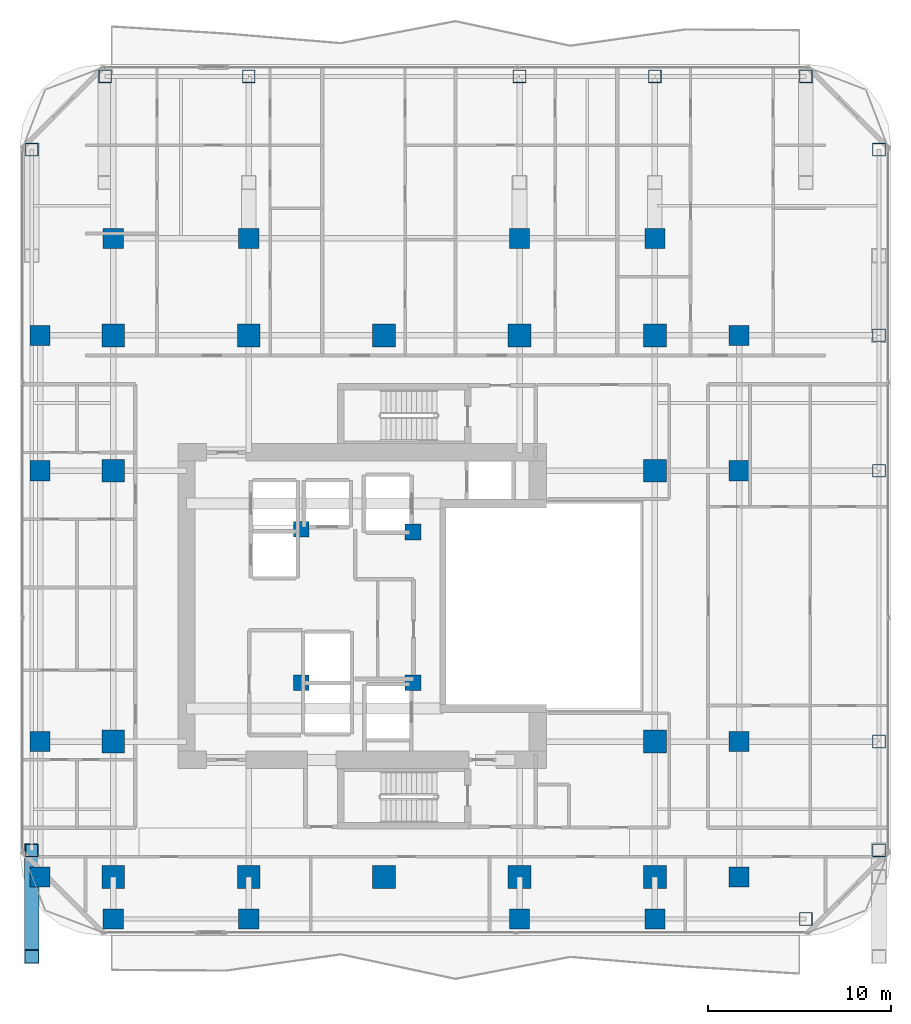
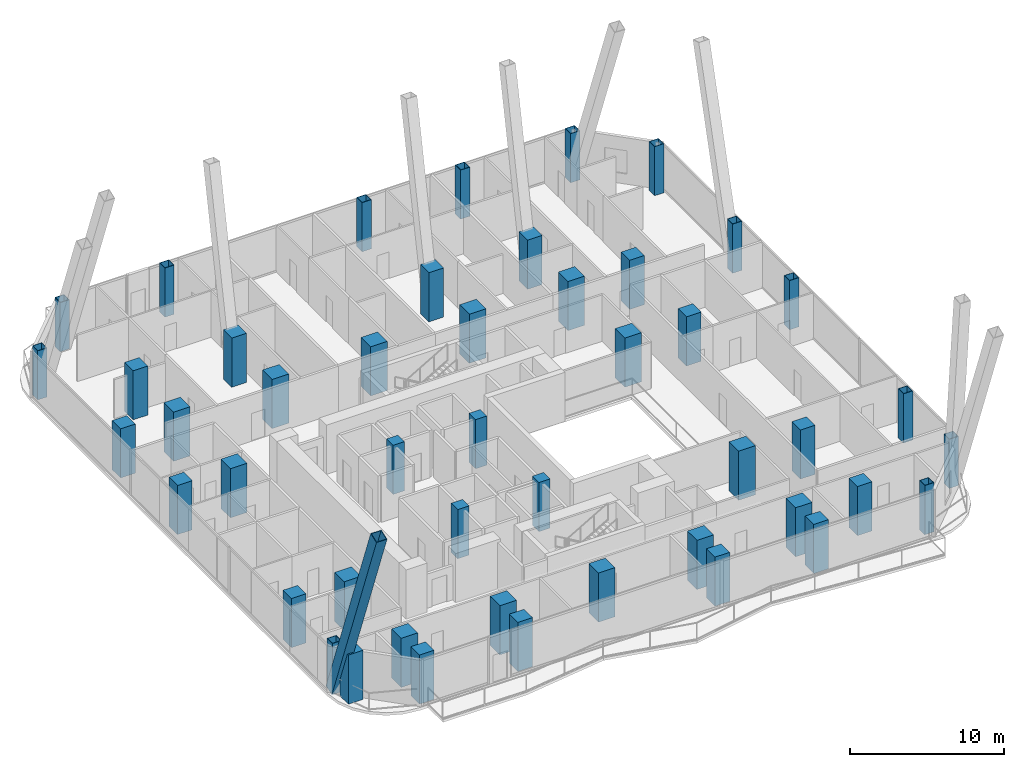
# One storey, part 1 of 28: 47 columns, 1 member.
"""IFC4 building model written with IfcOpenShell, lengths in metres."""

from ifc_helpers import new_model, si_unit, direction, frame, origin, origin_2d, place, context, subcontext, project, spatial, rectangle, hollow_rectangle, extrude, material, material_profile, profile_set, type_object, element, save


model = new_model("IFC4")

# Units and contexts
model_context = context("Model", 3, precision=1e-05, world=origin(), true_north=direction((0.0, 1.0)))
body_context = subcontext(model_context, "Body", "Model", "MODEL_VIEW")
ifc_project = project(units=[si_unit("LENGTHUNIT", "METRE"), si_unit("AREAUNIT", "SQUARE_METRE"), si_unit("VOLUMEUNIT", "CUBIC_METRE"), si_unit("PLANEANGLEUNIT", "RADIAN"), si_unit("MASSUNIT", "GRAM", prefix="KILO")], contexts=[model_context])

# Site, building, storey
site_placement = place(None, origin())
site = spatial("IfcSite", under=ifc_project, at=site_placement, CompositionType="ELEMENT")
building_placement = place(site_placement, origin())
building = spatial("IfcBuilding", under=site, at=building_placement, Name="Khorvyn Point Tower", CompositionType="ELEMENT")
storey_placement = place(building_placement, frame((0.0, 0.0, 121.199951171875)))
storey = spatial("IfcBuildingStorey", under=building, at=storey_placement, Name="L30", CompositionType="ELEMENT", Elevation=121.199951171875)

# Columns
ifc_material_1 = material(Name="Concrete C40/50", Category="concrete")
ifc_material_profile_1 = material_profile(ifc_material_1, rectangle(XDim=0.85009765625, YDim=0.85009765625, at=origin_2d()))
ifc_profile_set_1 = profile_set([ifc_material_profile_1], Name="Concrete C40/50 RC850x850")
column_type_1 = type_object("IfcColumnType", Name="Concrete C40/50 Column RC850x850", PredefinedType="COLUMN", material=ifc_profile_set_1)
for number, where, z_axis, x_axis, name in (
    (1, (-4.52001953125, -4.199951171875, 0.0), (0.0, 0.0, 1.0), (1.0, 0.0, 0.0), "L30 Crown Core Spine Column 1"),
    (2, (1.580078125, -4.179931640625, 0.0), (0.0, 0.0, 1.0), (1.0, 0.0, 0.0), "L30 Crown Core Spine Column 2"),
    (3, (1.580078125, 4.050048828125, 0.0), (0.0, 0.0, 1.0), (1.0, 0.0, 0.0), "L30 Crown Core Spine Column 3"),
    (4, (-4.52001953125, 4.199951171875, 0.0), (0.0, 0.0, 1.0), (1.0, 0.0, 0.0), "L30 Crown Core Spine Column 4"),
):
    element("IfcColumn", number, at=place(storey_placement, frame(where, z_axis=z_axis, x_axis=x_axis)), inside=storey, type_object=column_type_1, Name=name, PredefinedType="COLUMN", context=body_context, shape_type="SweptSolid", body=[
        extrude(rectangle(XDim=0.85009765625, YDim=0.85009765625, at=origin_2d()), origin(), (0.0, 0.0, 1.0), 3.900146484375),
    ])
ifc_material_2 = material(Name="Concrete C45/55", Category="concrete")
ifc_material_profile_2 = material_profile(ifc_material_2, rectangle(XDim=1.10009765625, YDim=1.10009765625, at=origin_2d()))
ifc_profile_set_2 = profile_set([ifc_material_profile_2], Name="Concrete C45/55 RC1100x1100")
column_type_2 = type_object("IfcColumnType", Name="Concrete C45/55 Column RC1100x1100", PredefinedType="COLUMN", material=ifc_profile_set_2)
for number, where, z_axis, x_axis, name in (
    (5, (-18.800048828125, -14.800048828125, 0.0), (0.0, 0.0, 1.0), (1.0, 0.0, 0.0), "L30 Intermediate Column ICW--14"),
    (6, (-18.800048828125, -7.39990234375, 0.0), (0.0, 0.0, 1.0), (1.0, 0.0, 0.0), "L30 Intermediate Column ICW--7"),
    (7, (-18.800048828125, 7.39990234375, 0.0), (0.0, 0.0, 1.0), (1.0, 0.0, 0.0), "L30 Intermediate Column ICW-7"),
    (8, (-18.800048828125, 14.800048828125, 0.0), (0.0, 0.0, 1.0), (1.0, 0.0, 0.0), "L30 Intermediate Column ICW-14"),
    (9, (19.39990234375, -14.800048828125, 0.0), (0.0, 0.0, 1.0), (1.0, 0.0, 0.0), "L30 Intermediate Column ICE--14"),
    (10, (19.39990234375, -7.39990234375, 0.0), (0.0, 0.0, 1.0), (1.0, 0.0, 0.0), "L30 Intermediate Column ICE--7"),
    (11, (19.39990234375, 7.39990234375, 0.0), (0.0, 0.0, 1.0), (1.0, 0.0, 0.0), "L30 Intermediate Column ICE-7"),
    (12, (19.39990234375, 14.800048828125, 0.0), (0.0, 0.0, 1.0), (1.0, 0.0, 0.0), "L30 Intermediate Column ICE-14"),
    (13, (-14.800048828125, -17.10009765625, 0.0), (0.0, 0.0, 1.0), (1.0, 0.0, 0.0), "L30 Intermediate Column ICS--14"),
    (14, (-7.39990234375, -17.10009765625, 0.0), (0.0, 0.0, 1.0), (1.0, 0.0, 0.0), "L30 Intermediate Column ICS--7"),
    (15, (7.39990234375, -17.10009765625, 0.0), (0.0, 0.0, 1.0), (1.0, 0.0, 0.0), "L30 Intermediate Column ICS-7"),
    (16, (14.800048828125, -17.10009765625, 0.0), (0.0, 0.0, 1.0), (1.0, 0.0, 0.0), "L30 Intermediate Column ICS-14"),
    (17, (-14.800048828125, 20.10009765625, 0.0), (0.0, 0.0, 1.0), (1.0, 0.0, 0.0), "L30 Intermediate Column ICN--14"),
    (18, (-7.39990234375, 20.10009765625, 0.0), (0.0, 0.0, 1.0), (1.0, 0.0, 0.0), "L30 Intermediate Column ICN--7"),
    (19, (7.39990234375, 20.10009765625, 0.0), (0.0, 0.0, 1.0), (1.0, 0.0, 0.0), "L30 Intermediate Column ICN-7"),
    (20, (14.800048828125, 20.10009765625, 0.0), (0.0, 0.0, 1.0), (1.0, 0.0, 0.0), "L30 Intermediate Column ICN-14"),
):
    element("IfcColumn", number, at=place(storey_placement, frame(where, z_axis=z_axis, x_axis=x_axis)), inside=storey, type_object=column_type_2, Name=name, PredefinedType="COLUMN", context=body_context, shape_type="SweptSolid", body=[
        extrude(rectangle(XDim=1.10009765625, YDim=1.10009765625, at=origin_2d()), origin(), (0.0, 0.0, 1.0), 3.900146484375),
    ])
ifc_material_3 = material(Name="Concrete C50/60", Category="concrete")
ifc_material_profile_3 = material_profile(ifc_material_3, rectangle(XDim=1.25, YDim=1.25, at=origin_2d()))
ifc_profile_set_3 = profile_set([ifc_material_profile_3], Name="Concrete C50/60 RC1250x1250")
column_type_3 = type_object("IfcColumnType", Name="Concrete C50/60 Column RC1250x1250", PredefinedType="COLUMN", material=ifc_profile_set_3)
for number, where, z_axis, x_axis, name in (
    (21, (-14.800048828125, -14.800048828125, 0.0), (0.0, 0.0, 1.0), (1.0, 0.0, 0.0), "L30 Mega-Column MC-01"),
    (22, (-7.39990234375, -14.800048828125, 0.0), (0.0, 0.0, 1.0), (1.0, 0.0, 0.0), "L30 Mega-Column MC-02"),
    (23, (0.0, -14.800048828125, 0.0), (0.0, 0.0, 1.0), (1.0, 0.0, 0.0), "L30 Mega-Column MC-03"),
    (24, (7.39990234375, -14.800048828125, 0.0), (0.0, 0.0, 1.0), (1.0, 0.0, 0.0), "L30 Mega-Column MC-04"),
    (25, (14.800048828125, -14.800048828125, 0.0), (0.0, 0.0, 1.0), (1.0, 0.0, 0.0), "L30 Mega-Column MC-05"),
    (26, (-14.800048828125, 14.800048828125, 0.0), (0.0, 0.0, 1.0), (1.0, 0.0, 0.0), "L30 Mega-Column MC-06"),
    (27, (-7.39990234375, 14.800048828125, 0.0), (0.0, 0.0, 1.0), (1.0, 0.0, 0.0), "L30 Mega-Column MC-07"),
    (28, (0.0, 14.800048828125, 0.0), (0.0, 0.0, 1.0), (1.0, 0.0, 0.0), "L30 Mega-Column MC-08"),
    (29, (7.39990234375, 14.800048828125, 0.0), (0.0, 0.0, 1.0), (1.0, 0.0, 0.0), "L30 Mega-Column MC-09"),
    (30, (14.800048828125, 14.800048828125, 0.0), (0.0, 0.0, 1.0), (1.0, 0.0, 0.0), "L30 Mega-Column MC-10"),
    (31, (-14.800048828125, -7.39990234375, 0.0), (0.0, 0.0, 1.0), (1.0, 0.0, 0.0), "L30 Mega-Column MC-11"),
    (32, (-14.800048828125, 7.39990234375, 0.0), (0.0, 0.0, 1.0), (1.0, 0.0, 0.0), "L30 Mega-Column MC-12"),
    (33, (14.800048828125, -7.39990234375, 0.0), (0.0, 0.0, 1.0), (1.0, 0.0, 0.0), "L30 Mega-Column MC-13"),
    (34, (14.800048828125, 7.39990234375, 0.0), (0.0, 0.0, 1.0), (1.0, 0.0, 0.0), "L30 Mega-Column MC-14"),
):
    element("IfcColumn", number, at=place(storey_placement, frame(where, z_axis=z_axis, x_axis=x_axis)), inside=storey, type_object=column_type_3, Name=name, PredefinedType="COLUMN", context=body_context, shape_type="SweptSolid", body=[
        extrude(rectangle(XDim=1.25, YDim=1.25, at=origin_2d()), origin(), (0.0, 0.0, 1.0), 3.900146484375),
    ])
ifc_material_4 = material(Name="Steel S450", Category="steel")
ifc_material_profile_4 = material_profile(ifc_material_4, hollow_rectangle(XDim=0.699951171875, YDim=0.699951171875, WallThickness=0.031982421875, at=origin_2d()))
ifc_profile_set_4 = profile_set([ifc_material_profile_4], Name="Steel S450 BOX700x700x32")
column_type_4 = type_object("IfcColumnType", Name="Steel S450 Structural Column BOX700x700x32", PredefinedType="COLUMN", material=ifc_profile_set_4)
for number, where, z_axis, x_axis, name in (
    (35, (23.050048828125, -17.10009765625, 0.0), (0.0, 0.0, 1.0), (1.0, 0.0, 0.0), "L30 Perimeter Tube Column TC-01"),
    (36, (-15.25, 28.949951171875, 0.0), (0.0, 0.0, 1.0), (1.0, 0.0, 0.0), "L30 Perimeter Tube Column TC-02"),
    (37, (23.050048828125, 28.949951171875, 0.0), (0.0, 0.0, 1.0), (1.0, 0.0, 0.0), "L30 Perimeter Tube Column TC-03"),
    (38, (-19.25, -13.35009765625, 0.0), (0.0, 0.0, 1.0), (1.0, 0.0, 0.0), "L30 Perimeter Tube Column TC-04"),
    (39, (-19.25, 24.949951171875, 0.0), (0.0, 0.0, 1.0), (1.0, 0.0, 0.0), "L30 Perimeter Tube Column TC-05"),
    (40, (27.050048828125, -13.35009765625, 0.0), (0.0, 0.0, 1.0), (1.0, 0.0, 0.0), "L30 Perimeter Tube Column TC-06"),
    (41, (27.050048828125, 24.949951171875, 0.0), (0.0, 0.0, 1.0), (1.0, 0.0, 0.0), "L30 Perimeter Tube Column TC-07"),
    (42, (-7.39990234375, 28.949951171875, 0.0), (0.0, 0.0, 1.0), (1.0, 0.0, 0.0), "L30 Perimeter Tube Column TC-08"),
    (43, (7.39990234375, 28.949951171875, 0.0), (0.0, 0.0, 1.0), (1.0, 0.0, 0.0), "L30 Perimeter Tube Column TC-09"),
    (44, (14.800048828125, 28.949951171875, 0.0), (0.0, 0.0, 1.0), (1.0, 0.0, 0.0), "L30 Perimeter Tube Column TC-10"),
    (45, (27.050048828125, -7.39990234375, 0.0), (0.0, 0.0, 1.0), (1.0, 0.0, 0.0), "L30 Perimeter Tube Column TC-11"),
    (46, (27.050048828125, 7.39990234375, 0.0), (0.0, 0.0, 1.0), (1.0, 0.0, 0.0), "L30 Perimeter Tube Column TC-12"),
    (47, (27.050048828125, 14.800048828125, 0.0), (0.0, 0.0, 1.0), (1.0, 0.0, 0.0), "L30 Perimeter Tube Column TC-13"),
):
    element("IfcColumn", number, at=place(storey_placement, frame(where, z_axis=z_axis, x_axis=x_axis)), inside=storey, type_object=column_type_4, Name=name, PredefinedType="COLUMN", context=body_context, shape_type="SweptSolid", body=[
        extrude(hollow_rectangle(XDim=0.699951171875, YDim=0.699951171875, WallThickness=0.031982421875, at=origin_2d()), origin(), (0.0, 0.0, 1.0), 3.900146484375),
    ])

# Member
ifc_material_profile_5 = material_profile(ifc_material_4, hollow_rectangle(XDim=0.800048828125, YDim=0.800048828125, WallThickness=0.035888671875, at=origin_2d()))
ifc_profile_set_5 = profile_set([ifc_material_profile_5], Name="Steel S450 BOX800x800x36")
member_type = type_object("IfcMemberType", Name="Steel S450 Exoskeleton Structural Post BOX800x800x36", PredefinedType="POST", material=ifc_profile_set_5)
member_placement = place(storey_placement, frame((-19.25, -13.35009765625, 0.0), z_axis=(0.0, -0.348475998872, 0.937317703988), x_axis=(1.0, 0.0, 0.0)))
element("IfcMember", 48, at=member_placement, inside=storey, type_object=member_type, Name="L30 to L34 Exoskeleton Transfer Post 05", PredefinedType="POST", context=body_context, shape_type="SweptSolid", body=[
    extrude(hollow_rectangle(XDim=0.800048828125, YDim=0.800048828125, WallThickness=0.035888671875, at=origin_2d()), origin(), (0.0, 0.0, 1.0), 16.643310546875),
])

save(model, "model.ifc")
